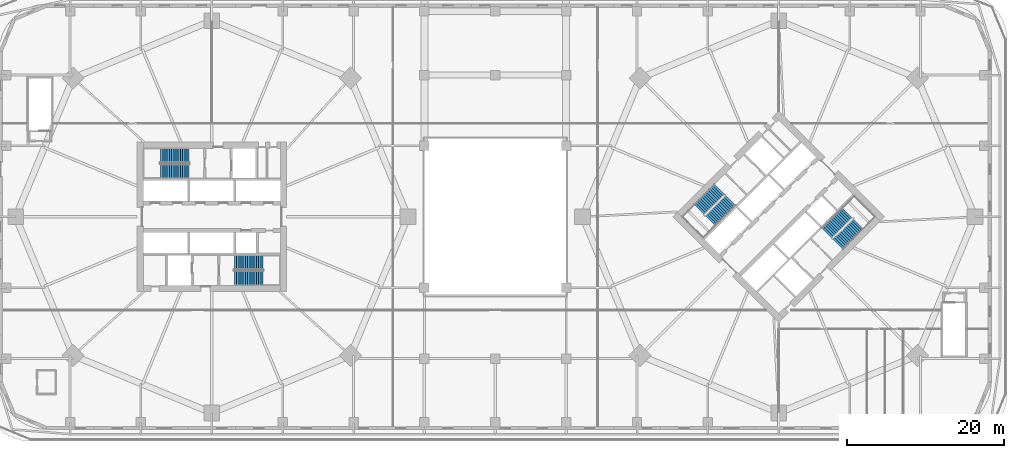
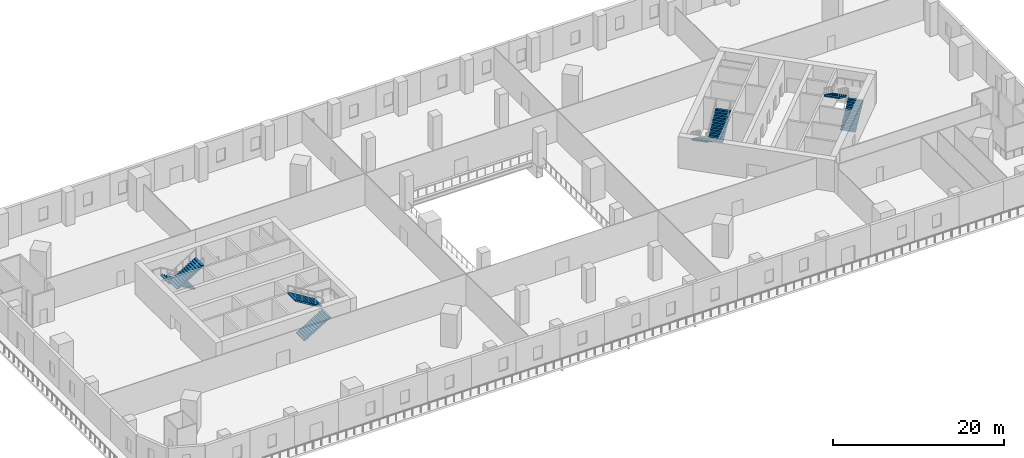
# One storey, part 12 of 16: 8 stair flights, 4 elements without a shape of their own.
"""IFC4 building model written with IfcOpenShell, lengths in metres."""

from ifc_helpers import new_model, si_unit, direction, frame, origin, place, context, subcontext, project, spatial, polyline, outline, extrude, material, type_object, element, aggregate, save


model = new_model("IFC4")

# Units and contexts
model_context = context("Model", 3, precision=1e-05, world=origin(), true_north=direction((0.0, 1.0)))
body_context = subcontext(model_context, "Body", "Model", "MODEL_VIEW")
ifc_project = project(units=[si_unit("LENGTHUNIT", "METRE"), si_unit("AREAUNIT", "SQUARE_METRE"), si_unit("VOLUMEUNIT", "CUBIC_METRE"), si_unit("PLANEANGLEUNIT", "RADIAN"), si_unit("MASSUNIT", "GRAM", prefix="KILO")], contexts=[model_context])

# Site, building, storey
site_placement = place(None, origin())
site = spatial("IfcSite", under=ifc_project, at=site_placement, CompositionType="ELEMENT")
building_placement = place(site_placement, origin())
building = spatial("IfcBuilding", under=site, at=building_placement, Name="Ogive Gate Towers", CompositionType="ELEMENT")
storey_placement = place(building_placement, frame((0.0, 0.0, 22.800048828125)))
storey = spatial("IfcBuildingStorey", under=building, at=storey_placement, Name="L04", CompositionType="ELEMENT", Elevation=22.800048828125)

# Stair, stair flights
ifc_material = material(Name="Concrete C40/50", Category="concrete")
stair_type = type_object("IfcStairType", Name="Escape stair 1840 wide", PredefinedType="HALF_TURN_STAIR", material=ifc_material)
stair_1_placement = place(storey_placement, origin())
stair_1 = element("IfcStair", 1, at=stair_1_placement, inside=storey, type_object=stair_type, Name="L04 Escape stair 1", PredefinedType="HALF_TURN_STAIR")
stair_flight_type = type_object("IfcStairFlightType", Name="Stair flight 1840 wide", PredefinedType="STRAIGHT", material=ifc_material)
stair_flight_1_placement = place(storey_placement, frame((-38.864990234375, 7.780029296875, 0.0), z_axis=(0.0, 0.0, 1.0), x_axis=(-1.0, 0.0, 0.0)))
stair_flight_1 = element("IfcStairFlight", 2, at=stair_flight_1_placement, type_object=stair_flight_type, Name="ST1 flight 1", NumberOfRisers=14, NumberOfTreads=13, PredefinedType="STRAIGHT", RiserHeight=0.171428571, TreadLength=0.28, context=body_context, shape_type="SweptSolid", body=[
    extrude(outline(polyline([(0.0, 0.0), (0.0, 0.17138671875), (0.280029296875, 0.17138671875), (0.280029296875, 0.3427734375), (0.56005859375, 0.3427734375), (0.56005859375, 0.514404296875), (0.840087890625, 0.514404296875), (0.840087890625, 0.685791015625), (1.1201171875, 0.685791015625), (1.1201171875, 0.857177734375), (1.39990234375, 0.857177734375), (1.39990234375, 1.028564453125), (1.679931640625, 1.028564453125), (1.679931640625, 1.199951171875), (1.9599609375, 1.199951171875), (1.9599609375, 1.371337890625), (2.239990234375, 1.371337890625), (2.239990234375, 1.54296875), (2.52001953125, 1.54296875), (2.52001953125, 1.71435546875), (2.800048828125, 1.71435546875), (2.800048828125, 1.8857421875), (3.080078125, 1.8857421875), (3.080078125, 2.05712890625), (3.360107421875, 2.05712890625), (3.360107421875, 2.228515625), (3.639892578125, 2.228515625), (3.639892578125, 2.39990234375), (3.639892578125, 2.052734375), (0.287109375, 0.0), (0.0, 0.0)])), frame((0.0, 0.919921875, 0.0), z_axis=(0.0, -1.0, 0.0), x_axis=(1.0, 0.0, 0.0)), (0.0, 0.0, 1.0), 1.840087890625),
])
stair_flight_2_placement = place(storey_placement, frame((-42.5048828125, 5.794921875, 2.39990234375), z_axis=(0.0, 0.0, 1.0), x_axis=(1.0, 0.0, 0.0)))
stair_flight_2 = element("IfcStairFlight", 3, at=stair_flight_2_placement, type_object=stair_flight_type, Name="ST1 flight 2", NumberOfRisers=14, NumberOfTreads=13, PredefinedType="STRAIGHT", RiserHeight=0.171428571, TreadLength=0.28, context=body_context, shape_type="SweptSolid", body=[
    extrude(outline(polyline([(0.0, 0.0), (0.0, 0.17138671875), (0.280029296875, 0.17138671875), (0.280029296875, 0.3427734375), (0.56005859375, 0.3427734375), (0.56005859375, 0.514404296875), (0.840087890625, 0.514404296875), (0.840087890625, 0.685791015625), (1.1201171875, 0.685791015625), (1.1201171875, 0.857177734375), (1.39990234375, 0.857177734375), (1.39990234375, 1.028564453125), (1.679931640625, 1.028564453125), (1.679931640625, 1.199951171875), (1.9599609375, 1.199951171875), (1.9599609375, 1.371337890625), (2.239990234375, 1.371337890625), (2.239990234375, 1.54296875), (2.52001953125, 1.54296875), (2.52001953125, 1.71435546875), (2.800048828125, 1.71435546875), (2.800048828125, 1.8857421875), (3.080078125, 1.8857421875), (3.080078125, 2.05712890625), (3.360107421875, 2.05712890625), (3.360107421875, 2.228515625), (3.639892578125, 2.228515625), (3.639892578125, 2.39990234375), (3.639892578125, 2.052734375), (0.287109375, 0.0), (0.0, 0.0)])), frame((0.0, 0.919921875, 0.0), z_axis=(0.0, -1.0, 0.0), x_axis=(1.0, 0.0, 0.0)), (0.0, 0.0, 1.0), 1.840087890625),
])
aggregate(stair_1, [stair_flight_1, stair_flight_2])

stair_2_placement = place(storey_placement, origin())
stair_2 = element("IfcStair", 4, at=stair_2_placement, inside=storey, type_object=stair_type, Name="L04 Escape stair 2", PredefinedType="HALF_TURN_STAIR")
stair_flight_3_placement = place(storey_placement, frame((-33.135009765625, -7.780029296875, 0.0), z_axis=(0.0, 0.0, 1.0), x_axis=(1.0, 0.0, 0.0)))
stair_flight_3 = element("IfcStairFlight", 5, at=stair_flight_3_placement, type_object=stair_flight_type, Name="ST2 flight 1", NumberOfRisers=14, NumberOfTreads=13, PredefinedType="STRAIGHT", RiserHeight=0.171428571, TreadLength=0.28, context=body_context, shape_type="SweptSolid", body=[
    extrude(outline(polyline([(0.0, 0.0), (0.0, 0.17138671875), (0.280029296875, 0.17138671875), (0.280029296875, 0.3427734375), (0.56005859375, 0.3427734375), (0.56005859375, 0.514404296875), (0.840087890625, 0.514404296875), (0.840087890625, 0.685791015625), (1.1201171875, 0.685791015625), (1.1201171875, 0.857177734375), (1.39990234375, 0.857177734375), (1.39990234375, 1.028564453125), (1.679931640625, 1.028564453125), (1.679931640625, 1.199951171875), (1.9599609375, 1.199951171875), (1.9599609375, 1.371337890625), (2.239990234375, 1.371337890625), (2.239990234375, 1.54296875), (2.52001953125, 1.54296875), (2.52001953125, 1.71435546875), (2.800048828125, 1.71435546875), (2.800048828125, 1.8857421875), (3.080078125, 1.8857421875), (3.080078125, 2.05712890625), (3.360107421875, 2.05712890625), (3.360107421875, 2.228515625), (3.639892578125, 2.228515625), (3.639892578125, 2.39990234375), (3.639892578125, 2.052734375), (0.287109375, 0.0), (0.0, 0.0)])), frame((0.0, 0.919921875, 0.0), z_axis=(0.0, -1.0, 0.0), x_axis=(1.0, 0.0, 0.0)), (0.0, 0.0, 1.0), 1.840087890625),
])
stair_flight_4_placement = place(storey_placement, frame((-29.4951171875, -5.794921875, 2.39990234375), z_axis=(0.0, 0.0, 1.0), x_axis=(-1.0, 0.0, 0.0)))
stair_flight_4 = element("IfcStairFlight", 6, at=stair_flight_4_placement, type_object=stair_flight_type, Name="ST2 flight 2", NumberOfRisers=14, NumberOfTreads=13, PredefinedType="STRAIGHT", RiserHeight=0.171428571, TreadLength=0.28, context=body_context, shape_type="SweptSolid", body=[
    extrude(outline(polyline([(0.0, 0.0), (0.0, 0.17138671875), (0.280029296875, 0.17138671875), (0.280029296875, 0.3427734375), (0.56005859375, 0.3427734375), (0.56005859375, 0.514404296875), (0.840087890625, 0.514404296875), (0.840087890625, 0.685791015625), (1.1201171875, 0.685791015625), (1.1201171875, 0.857177734375), (1.39990234375, 0.857177734375), (1.39990234375, 1.028564453125), (1.679931640625, 1.028564453125), (1.679931640625, 1.199951171875), (1.9599609375, 1.199951171875), (1.9599609375, 1.371337890625), (2.239990234375, 1.371337890625), (2.239990234375, 1.54296875), (2.52001953125, 1.54296875), (2.52001953125, 1.71435546875), (2.800048828125, 1.71435546875), (2.800048828125, 1.8857421875), (3.080078125, 1.8857421875), (3.080078125, 2.05712890625), (3.360107421875, 2.05712890625), (3.360107421875, 2.228515625), (3.639892578125, 2.228515625), (3.639892578125, 2.39990234375), (3.639892578125, 2.052734375), (0.287109375, 0.0), (0.0, 0.0)])), frame((0.0, 0.919921875, 0.0), z_axis=(0.0, -1.0, 0.0), x_axis=(1.0, 0.0, 0.0)), (0.0, 0.0, 1.0), 1.840087890625),
])
aggregate(stair_2, [stair_flight_3, stair_flight_4])

stair_3_placement = place(storey_placement, origin())
stair_3 = element("IfcStair", 7, at=stair_3_placement, inside=storey, type_object=stair_type, Name="L04 Escape stair 1", PredefinedType="HALF_TURN_STAIR")
stair_flight_5_placement = place(storey_placement, frame((28.472900390625, 3.475341796875, 0.0), z_axis=(0.0, 0.0, 1.0), x_axis=(-0.707106781187, -0.707106781187, 0.0)))
stair_flight_5 = element("IfcStairFlight", 8, at=stair_flight_5_placement, type_object=stair_flight_type, Name="ST1 flight 1", NumberOfRisers=14, NumberOfTreads=13, PredefinedType="STRAIGHT", RiserHeight=0.171428571, TreadLength=0.28, context=body_context, shape_type="SweptSolid", body=[
    extrude(outline(polyline([(0.0, 0.0), (0.0, 0.17138671875), (0.280029296875, 0.17138671875), (0.280029296875, 0.3427734375), (0.56005859375, 0.3427734375), (0.56005859375, 0.514404296875), (0.840087890625, 0.514404296875), (0.840087890625, 0.685791015625), (1.1201171875, 0.685791015625), (1.1201171875, 0.857177734375), (1.39990234375, 0.857177734375), (1.39990234375, 1.028564453125), (1.679931640625, 1.028564453125), (1.679931640625, 1.199951171875), (1.9599609375, 1.199951171875), (1.9599609375, 1.371337890625), (2.239990234375, 1.371337890625), (2.239990234375, 1.54296875), (2.52001953125, 1.54296875), (2.52001953125, 1.71435546875), (2.800048828125, 1.71435546875), (2.800048828125, 1.8857421875), (3.080078125, 1.8857421875), (3.080078125, 2.05712890625), (3.360107421875, 2.05712890625), (3.360107421875, 2.228515625), (3.639892578125, 2.228515625), (3.639892578125, 2.39990234375), (3.639892578125, 2.052734375), (0.287109375, 0.0), (0.0, 0.0)])), frame((0.0, 0.919921875, 0.0), z_axis=(0.0, -1.0, 0.0), x_axis=(1.0, 0.0, 0.0)), (0.0, 0.0, 1.0), 1.840087890625),
])
stair_flight_6_placement = place(storey_placement, frame((27.302490234375, -0.501953125, 2.39990234375), z_axis=(0.0, 0.0, 1.0), x_axis=(0.707106781187, 0.707106781187, 0.0)))
stair_flight_6 = element("IfcStairFlight", 9, at=stair_flight_6_placement, type_object=stair_flight_type, Name="ST1 flight 2", NumberOfRisers=14, NumberOfTreads=13, PredefinedType="STRAIGHT", RiserHeight=0.171428571, TreadLength=0.28, context=body_context, shape_type="SweptSolid", body=[
    extrude(outline(polyline([(0.0, 0.0), (0.0, 0.17138671875), (0.280029296875, 0.17138671875), (0.280029296875, 0.3427734375), (0.56005859375, 0.3427734375), (0.56005859375, 0.514404296875), (0.840087890625, 0.514404296875), (0.840087890625, 0.685791015625), (1.1201171875, 0.685791015625), (1.1201171875, 0.857177734375), (1.39990234375, 0.857177734375), (1.39990234375, 1.028564453125), (1.679931640625, 1.028564453125), (1.679931640625, 1.199951171875), (1.9599609375, 1.199951171875), (1.9599609375, 1.371337890625), (2.239990234375, 1.371337890625), (2.239990234375, 1.54296875), (2.52001953125, 1.54296875), (2.52001953125, 1.71435546875), (2.800048828125, 1.71435546875), (2.800048828125, 1.8857421875), (3.080078125, 1.8857421875), (3.080078125, 2.05712890625), (3.360107421875, 2.05712890625), (3.360107421875, 2.228515625), (3.639892578125, 2.228515625), (3.639892578125, 2.39990234375), (3.639892578125, 2.052734375), (0.287109375, 0.0), (0.0, 0.0)])), frame((0.0, 0.919921875, 0.0), z_axis=(0.0, -1.0, 0.0), x_axis=(1.0, 0.0, 0.0)), (0.0, 0.0, 1.0), 1.840087890625),
])
aggregate(stair_3, [stair_flight_5, stair_flight_6])

stair_4_placement = place(storey_placement, origin())
stair_4 = element("IfcStair", 10, at=stair_4_placement, inside=storey, type_object=stair_type, Name="L04 Escape stair 2", PredefinedType="HALF_TURN_STAIR")
stair_flight_7_placement = place(storey_placement, frame((43.527099609375, -3.475341796875, 0.0), z_axis=(0.0, 0.0, 1.0), x_axis=(0.707106781187, 0.707106781187, 0.0)))
stair_flight_7 = element("IfcStairFlight", 11, at=stair_flight_7_placement, type_object=stair_flight_type, Name="ST2 flight 1", NumberOfRisers=14, NumberOfTreads=13, PredefinedType="STRAIGHT", RiserHeight=0.171428571, TreadLength=0.28, context=body_context, shape_type="SweptSolid", body=[
    extrude(outline(polyline([(0.0, 0.0), (0.0, 0.17138671875), (0.280029296875, 0.17138671875), (0.280029296875, 0.3427734375), (0.56005859375, 0.3427734375), (0.56005859375, 0.514404296875), (0.840087890625, 0.514404296875), (0.840087890625, 0.685791015625), (1.1201171875, 0.685791015625), (1.1201171875, 0.857177734375), (1.39990234375, 0.857177734375), (1.39990234375, 1.028564453125), (1.679931640625, 1.028564453125), (1.679931640625, 1.199951171875), (1.9599609375, 1.199951171875), (1.9599609375, 1.371337890625), (2.239990234375, 1.371337890625), (2.239990234375, 1.54296875), (2.52001953125, 1.54296875), (2.52001953125, 1.71435546875), (2.800048828125, 1.71435546875), (2.800048828125, 1.8857421875), (3.080078125, 1.8857421875), (3.080078125, 2.05712890625), (3.360107421875, 2.05712890625), (3.360107421875, 2.228515625), (3.639892578125, 2.228515625), (3.639892578125, 2.39990234375), (3.639892578125, 2.052734375), (0.287109375, 0.0), (0.0, 0.0)])), frame((0.0, 0.919921875, 0.0), z_axis=(0.0, -1.0, 0.0), x_axis=(1.0, 0.0, 0.0)), (0.0, 0.0, 1.0), 1.840087890625),
])
stair_flight_8_placement = place(storey_placement, frame((44.697509765625, 0.501953125, 2.39990234375), z_axis=(0.0, 0.0, 1.0), x_axis=(-0.707106781187, -0.707106781187, 0.0)))
stair_flight_8 = element("IfcStairFlight", 12, at=stair_flight_8_placement, type_object=stair_flight_type, Name="ST2 flight 2", NumberOfRisers=14, NumberOfTreads=13, PredefinedType="STRAIGHT", RiserHeight=0.171428571, TreadLength=0.28, context=body_context, shape_type="SweptSolid", body=[
    extrude(outline(polyline([(0.0, 0.0), (0.0, 0.17138671875), (0.280029296875, 0.17138671875), (0.280029296875, 0.3427734375), (0.56005859375, 0.3427734375), (0.56005859375, 0.514404296875), (0.840087890625, 0.514404296875), (0.840087890625, 0.685791015625), (1.1201171875, 0.685791015625), (1.1201171875, 0.857177734375), (1.39990234375, 0.857177734375), (1.39990234375, 1.028564453125), (1.679931640625, 1.028564453125), (1.679931640625, 1.199951171875), (1.9599609375, 1.199951171875), (1.9599609375, 1.371337890625), (2.239990234375, 1.371337890625), (2.239990234375, 1.54296875), (2.52001953125, 1.54296875), (2.52001953125, 1.71435546875), (2.800048828125, 1.71435546875), (2.800048828125, 1.8857421875), (3.080078125, 1.8857421875), (3.080078125, 2.05712890625), (3.360107421875, 2.05712890625), (3.360107421875, 2.228515625), (3.639892578125, 2.228515625), (3.639892578125, 2.39990234375), (3.639892578125, 2.052734375), (0.287109375, 0.0), (0.0, 0.0)])), frame((0.0, 0.919921875, 0.0), z_axis=(0.0, -1.0, 0.0), x_axis=(1.0, 0.0, 0.0)), (0.0, 0.0, 1.0), 1.840087890625),
])
aggregate(stair_4, [stair_flight_7, stair_flight_8])

save(model, "model.ifc")
